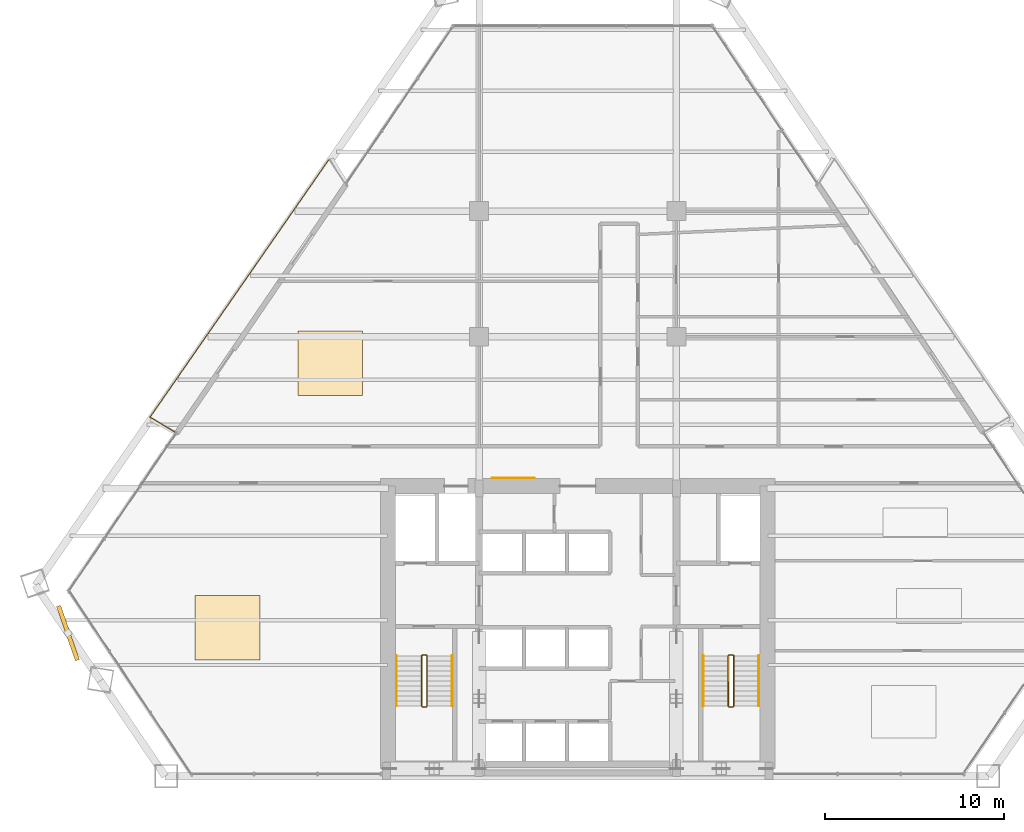
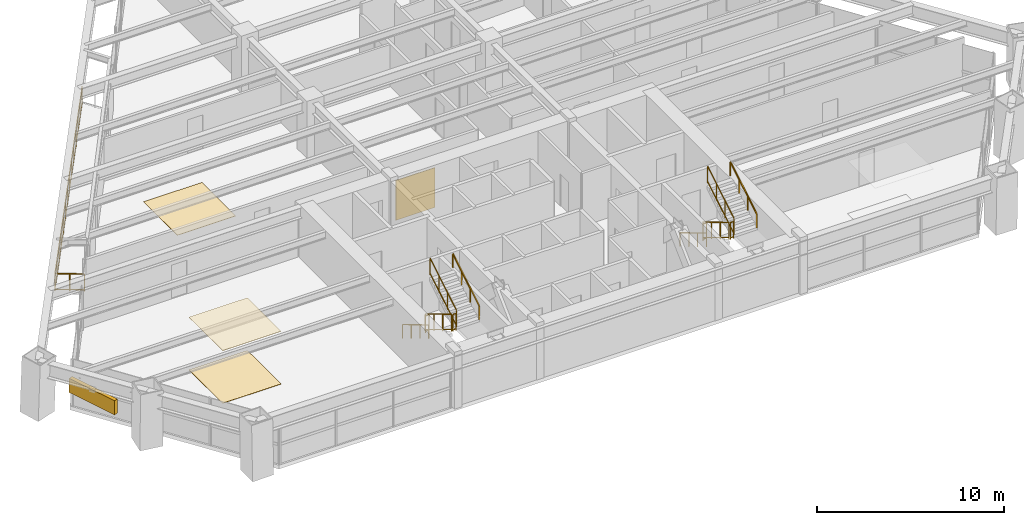
# One storey, part 13 of 14: 14 railings, 4 coverings, 1 shading device.
"""IFC4 building model written with IfcOpenShell, lengths in metres."""

from ifc_helpers import new_model, si_unit, direction, frame, origin, origin_2d, place, context, subcontext, project, spatial, rectangle, extrude, source, transform, mapped, material, layer, layer_set, type_object, type_shapes, element, save


model = new_model("IFC4")

# Units and contexts
model_context = context("Model", 3, precision=1e-05, world=origin(), true_north=direction((0.0, 1.0)))
body_context = subcontext(model_context, "Body", "Model", "MODEL_VIEW")
ifc_project = project(units=[si_unit("LENGTHUNIT", "METRE"), si_unit("AREAUNIT", "SQUARE_METRE"), si_unit("VOLUMEUNIT", "CUBIC_METRE"), si_unit("PLANEANGLEUNIT", "RADIAN"), si_unit("MASSUNIT", "GRAM", prefix="KILO")], contexts=[model_context])

# Site, building, storey
site_placement = place(None, origin())
site = spatial("IfcSite", under=ifc_project, at=site_placement, CompositionType="ELEMENT")
building_placement = place(site_placement, origin())
building = spatial("IfcBuilding", under=site, at=building_placement, Name="Varnakhor Terracotta Tower", CompositionType="ELEMENT")
storey_placement = place(building_placement, frame((0.0, 0.0, 53.39990234375)))
storey = spatial("IfcBuildingStorey", under=building, at=storey_placement, Name="L12", CompositionType="ELEMENT", Elevation=53.39990234375)

# Railings
ifc_material_1 = material(Name="Stainless Steel & Laminated Glass Guardrail", Category="steel")
railing_type_1 = type_object("IfcRailingType", Name="RLG-LOGGIA-GUARD-1150", PredefinedType="GUARDRAIL", material=ifc_material_1)
railing_1_placement = place(storey_placement, frame((-22.4755859375, 19.193115234375, 0.0)))
element("IfcRailing", 1, at=railing_1_placement, inside=storey, type_object=railing_type_1, Name="L12 W Loggia Glass Guard 1", PredefinedType="GUARDRAIL", context=body_context, shape_type="SweptSolid", body=[
    extrude(rectangle(XDim=0.048095703125, YDim=0.048095703125, at=origin_2d()), frame((0.0, 0.0, 1.1259765625), z_axis=(-0.85423110111, 0.519893475528, 0.0), x_axis=(-0.519893475528, -0.85423110111, 0.0)), (0.0, 0.0, 1.0), 1.59326171875),
    extrude(rectangle(XDim=0.048095703125, YDim=0.048095703125, at=origin_2d()), frame((0.0, 0.0, 0.10009765625), z_axis=(-0.85423110111, 0.519893475528, 0.0), x_axis=(-0.519893475528, -0.85423110111, 0.0)), (0.0, 0.0, 1.0), 1.59326171875),
    extrude(rectangle(XDim=0.0419921875, YDim=0.0419921875, at=origin_2d()), origin(), (0.0, 0.0, 1.0), 1.101806640625),
    extrude(rectangle(XDim=0.0419921875, YDim=0.0419921875, at=origin_2d()), frame((-0.6806640625, 0.4140625, 0.0)), (0.0, 0.0, 1.0), 1.101806640625),
    extrude(rectangle(XDim=0.0419921875, YDim=0.0419921875, at=origin_2d()), frame((-1.361083984375, 0.828369140625, 0.0)), (0.0, 0.0, 1.0), 1.101806640625),
])
railing_2_placement = place(storey_placement, frame((-23.836669921875, 20.021484375, 0.0)))
element("IfcRailing", 2, at=railing_2_placement, inside=storey, type_object=railing_type_1, Name="L12 W Loggia Glass Guard 2", PredefinedType="GUARDRAIL", context=body_context, shape_type="SweptSolid", body=[
    extrude(rectangle(XDim=0.048095703125, YDim=0.048095703125, at=origin_2d()), frame((0.0, 0.0, 1.1259765625), z_axis=(0.570253242053, 0.821468952504, 0.0), x_axis=(-0.821468952504, 0.570253242053, 0.0)), (0.0, 0.0, 1.0), 17.4912109375),
    extrude(rectangle(XDim=0.048095703125, YDim=0.048095703125, at=origin_2d()), frame((0.0, 0.0, 0.10009765625), z_axis=(0.570253242053, 0.821468952504, 0.0), x_axis=(-0.821468952504, 0.570253242053, 0.0)), (0.0, 0.0, 1.0), 17.4912109375),
    extrude(rectangle(XDim=0.0419921875, YDim=0.0419921875, at=origin_2d()), origin(), (0.0, 0.0, 1.0), 1.101806640625),
    extrude(rectangle(XDim=0.0419921875, YDim=0.0419921875, at=origin_2d()), frame((0.767333984375, 1.105224609375, 0.0)), (0.0, 0.0, 1.0), 1.101806640625),
    extrude(rectangle(XDim=0.0419921875, YDim=0.0419921875, at=origin_2d()), frame((1.534423828125, 2.21044921875, 0.0)), (0.0, 0.0, 1.0), 1.101806640625),
    extrude(rectangle(XDim=0.0419921875, YDim=0.0419921875, at=origin_2d()), frame((2.3017578125, 3.315673828125, 0.0)), (0.0, 0.0, 1.0), 1.101806640625),
    extrude(rectangle(XDim=0.0419921875, YDim=0.0419921875, at=origin_2d()), frame((3.069091796875, 4.421142578125, 0.0)), (0.0, 0.0, 1.0), 1.101806640625),
    extrude(rectangle(XDim=0.0419921875, YDim=0.0419921875, at=origin_2d()), frame((3.836181640625, 5.5263671875, 0.0)), (0.0, 0.0, 1.0), 1.101806640625),
    extrude(rectangle(XDim=0.0419921875, YDim=0.0419921875, at=origin_2d()), frame((4.603515625, 6.631591796875, 0.0)), (0.0, 0.0, 1.0), 1.101806640625),
    extrude(rectangle(XDim=0.0419921875, YDim=0.0419921875, at=origin_2d()), frame((5.370849609375, 7.73681640625, 0.0)), (0.0, 0.0, 1.0), 1.101806640625),
    extrude(rectangle(XDim=0.0419921875, YDim=0.0419921875, at=origin_2d()), frame((6.13818359375, 8.842041015625, 0.0)), (0.0, 0.0, 1.0), 1.101806640625),
    extrude(rectangle(XDim=0.0419921875, YDim=0.0419921875, at=origin_2d()), frame((6.9052734375, 9.947265625, 0.0)), (0.0, 0.0, 1.0), 1.101806640625),
    extrude(rectangle(XDim=0.0419921875, YDim=0.0419921875, at=origin_2d()), frame((7.672607421875, 11.052734375, 0.0)), (0.0, 0.0, 1.0), 1.101806640625),
    extrude(rectangle(XDim=0.0419921875, YDim=0.0419921875, at=origin_2d()), frame((8.43994140625, 12.157958984375, 0.0)), (0.0, 0.0, 1.0), 1.101806640625),
    extrude(rectangle(XDim=0.0419921875, YDim=0.0419921875, at=origin_2d()), frame((9.20703125, 13.26318359375, 0.0)), (0.0, 0.0, 1.0), 1.101806640625),
    extrude(rectangle(XDim=0.0419921875, YDim=0.0419921875, at=origin_2d()), frame((9.974365234375, 14.368408203125, 0.0)), (0.0, 0.0, 1.0), 1.101806640625),
])
ifc_material_2 = material(Name="Painted Steel Stairwell Guardrail", Category="steel")
railing_type_2 = type_object("IfcRailingType", Name="RLG-STAIR-GUARD-1120", PredefinedType="GUARDRAIL", material=ifc_material_2)
railing_3_placement = place(storey_placement, frame((-8.699951171875, 6.7099609375, 0.168212890625)))
element("IfcRailing", 3, at=railing_3_placement, inside=storey, type_object=railing_type_2, Name="L12 ST-1 stair guard 1", PredefinedType="GUARDRAIL", context=body_context, shape_type="SweptSolid", body=[
    extrude(rectangle(XDim=0.048095703125, YDim=0.048095703125, at=origin_2d()), frame((0.0, 0.0, 1.09619140625), z_axis=(0.0, -0.857242210791, 0.514913383045), x_axis=(1.0, 0.0, 0.0)), (0.0, 0.0, 1.0), 3.266357421875),
    extrude(rectangle(XDim=0.048095703125, YDim=0.048095703125, at=origin_2d()), frame((0.0, 0.0, 0.10009765625), z_axis=(0.0, -0.857242210791, 0.514913383045), x_axis=(1.0, 0.0, 0.0)), (0.0, 0.0, 1.0), 3.266357421875),
    extrude(rectangle(XDim=0.0419921875, YDim=0.0419921875, at=origin_2d()), origin(), (0.0, 0.0, 1.0), 1.072021484375),
    extrude(rectangle(XDim=0.0419921875, YDim=0.0419921875, at=origin_2d()), frame((0.0, -0.933349609375, 0.560546875)), (0.0, 0.0, 1.0), 1.072021484375),
    extrude(rectangle(XDim=0.0419921875, YDim=0.0419921875, at=origin_2d()), frame((0.0, -1.86669921875, 1.121337890625)), (0.0, 0.0, 1.0), 1.072021484375),
    extrude(rectangle(XDim=0.0419921875, YDim=0.0419921875, at=origin_2d()), frame((0.0, -2.800048828125, 1.681884765625)), (0.0, 0.0, 1.0), 1.072021484375),
])
railing_4_placement = place(storey_placement, frame((-8.64990234375, 3.860107421875, 1.85009765625)))
element("IfcRailing", 4, at=railing_4_placement, inside=storey, type_object=railing_type_2, Name="L12 ST-1 stair guard 2", PredefinedType="GUARDRAIL", context=body_context, shape_type="SweptSolid", body=[
    extrude(rectangle(XDim=0.048095703125, YDim=0.048095703125, at=origin_2d()), frame((0.0, 0.0, 1.09619140625), z_axis=(1.0, 0.0, 0.0), x_axis=(0.0, 1.0, 0.0)), (0.0, 0.0, 1.0), 0.199951171875),
    extrude(rectangle(XDim=0.048095703125, YDim=0.048095703125, at=origin_2d()), frame((0.0, 0.0, 0.10009765625), z_axis=(1.0, 0.0, 0.0), x_axis=(0.0, 1.0, 0.0)), (0.0, 0.0, 1.0), 0.199951171875),
    extrude(rectangle(XDim=0.0419921875, YDim=0.0419921875, at=origin_2d()), origin(), (0.0, 0.0, 1.0), 1.072021484375),
    extrude(rectangle(XDim=0.0419921875, YDim=0.0419921875, at=origin_2d()), frame((0.199951171875, 0.0, 0.0)), (0.0, 0.0, 1.0), 1.072021484375),
])
railing_5_placement = place(storey_placement, frame((-8.39990234375, 3.909912109375, 2.018310546875)))
element("IfcRailing", 5, at=railing_5_placement, inside=storey, type_object=railing_type_2, Name="L12 ST-1 stair guard 3", PredefinedType="GUARDRAIL", context=body_context, shape_type="SweptSolid", body=[
    extrude(rectangle(XDim=0.048095703125, YDim=0.048095703125, at=origin_2d()), frame((0.0, 0.0, 1.09619140625), z_axis=(0.0, 0.857242210791, 0.514913383045), x_axis=(-1.0, 0.0, 0.0)), (0.0, 0.0, 1.0), 3.266357421875),
    extrude(rectangle(XDim=0.048095703125, YDim=0.048095703125, at=origin_2d()), frame((0.0, 0.0, 0.10009765625), z_axis=(0.0, 0.857242210791, 0.514913383045), x_axis=(-1.0, 0.0, 0.0)), (0.0, 0.0, 1.0), 3.266357421875),
    extrude(rectangle(XDim=0.0419921875, YDim=0.0419921875, at=origin_2d()), origin(), (0.0, 0.0, 1.0), 1.072021484375),
    extrude(rectangle(XDim=0.0419921875, YDim=0.0419921875, at=origin_2d()), frame((0.0, 0.933349609375, 0.560546875)), (0.0, 0.0, 1.0), 1.072021484375),
    extrude(rectangle(XDim=0.0419921875, YDim=0.0419921875, at=origin_2d()), frame((0.0, 1.86669921875, 1.121337890625)), (0.0, 0.0, 1.0), 1.072021484375),
    extrude(rectangle(XDim=0.0419921875, YDim=0.0419921875, at=origin_2d()), frame((0.0, 2.800048828125, 1.681884765625)), (0.0, 0.0, 1.0), 1.072021484375),
])
railing_6_placement = place(storey_placement, frame((-8.64990234375, 6.760009765625, 0.0)))
element("IfcRailing", 6, at=railing_6_placement, inside=storey, type_object=railing_type_2, Name="L12 ST-1 stair guard 4", PredefinedType="GUARDRAIL", context=body_context, shape_type="SweptSolid", body=[
    extrude(rectangle(XDim=0.048095703125, YDim=0.048095703125, at=origin_2d()), frame((0.0, 0.0, 1.09619140625), z_axis=(1.0, 0.0, 0.0), x_axis=(0.0, 1.0, 0.0)), (0.0, 0.0, 1.0), 0.199951171875),
    extrude(rectangle(XDim=0.048095703125, YDim=0.048095703125, at=origin_2d()), frame((0.0, 0.0, 0.10009765625), z_axis=(1.0, 0.0, 0.0), x_axis=(0.0, 1.0, 0.0)), (0.0, 0.0, 1.0), 0.199951171875),
    extrude(rectangle(XDim=0.0419921875, YDim=0.0419921875, at=origin_2d()), origin(), (0.0, 0.0, 1.0), 1.072021484375),
    extrude(rectangle(XDim=0.0419921875, YDim=0.0419921875, at=origin_2d()), frame((0.199951171875, 0.0, 0.0)), (0.0, 0.0, 1.0), 1.072021484375),
])
railing_7_placement = place(storey_placement, frame((8.39990234375, 6.7099609375, 0.168212890625)))
element("IfcRailing", 7, at=railing_7_placement, inside=storey, type_object=railing_type_2, Name="L12 ST-2 stair guard 1", PredefinedType="GUARDRAIL", context=body_context, shape_type="SweptSolid", body=[
    extrude(rectangle(XDim=0.048095703125, YDim=0.048095703125, at=origin_2d()), frame((0.0, 0.0, 1.09619140625), z_axis=(0.0, -0.857242210791, 0.514913383045), x_axis=(1.0, 0.0, 0.0)), (0.0, 0.0, 1.0), 3.266357421875),
    extrude(rectangle(XDim=0.048095703125, YDim=0.048095703125, at=origin_2d()), frame((0.0, 0.0, 0.10009765625), z_axis=(0.0, -0.857242210791, 0.514913383045), x_axis=(1.0, 0.0, 0.0)), (0.0, 0.0, 1.0), 3.266357421875),
    extrude(rectangle(XDim=0.0419921875, YDim=0.0419921875, at=origin_2d()), origin(), (0.0, 0.0, 1.0), 1.072021484375),
    extrude(rectangle(XDim=0.0419921875, YDim=0.0419921875, at=origin_2d()), frame((0.0, -0.933349609375, 0.560546875)), (0.0, 0.0, 1.0), 1.072021484375),
    extrude(rectangle(XDim=0.0419921875, YDim=0.0419921875, at=origin_2d()), frame((0.0, -1.86669921875, 1.121337890625)), (0.0, 0.0, 1.0), 1.072021484375),
    extrude(rectangle(XDim=0.0419921875, YDim=0.0419921875, at=origin_2d()), frame((0.0, -2.800048828125, 1.681884765625)), (0.0, 0.0, 1.0), 1.072021484375),
])
railing_8_placement = place(storey_placement, frame((8.449951171875, 3.860107421875, 1.85009765625)))
element("IfcRailing", 8, at=railing_8_placement, inside=storey, type_object=railing_type_2, Name="L12 ST-2 stair guard 2", PredefinedType="GUARDRAIL", context=body_context, shape_type="SweptSolid", body=[
    extrude(rectangle(XDim=0.048095703125, YDim=0.048095703125, at=origin_2d()), frame((0.0, 0.0, 1.09619140625), z_axis=(1.0, 0.0, 0.0), x_axis=(0.0, 1.0, 0.0)), (0.0, 0.0, 1.0), 0.199951171875),
    extrude(rectangle(XDim=0.048095703125, YDim=0.048095703125, at=origin_2d()), frame((0.0, 0.0, 0.10009765625), z_axis=(1.0, 0.0, 0.0), x_axis=(0.0, 1.0, 0.0)), (0.0, 0.0, 1.0), 0.199951171875),
    extrude(rectangle(XDim=0.0419921875, YDim=0.0419921875, at=origin_2d()), origin(), (0.0, 0.0, 1.0), 1.072021484375),
    extrude(rectangle(XDim=0.0419921875, YDim=0.0419921875, at=origin_2d()), frame((0.199951171875, 0.0, 0.0)), (0.0, 0.0, 1.0), 1.072021484375),
])
railing_9_placement = place(storey_placement, frame((8.699951171875, 3.909912109375, 2.018310546875)))
element("IfcRailing", 9, at=railing_9_placement, inside=storey, type_object=railing_type_2, Name="L12 ST-2 stair guard 3", PredefinedType="GUARDRAIL", context=body_context, shape_type="SweptSolid", body=[
    extrude(rectangle(XDim=0.048095703125, YDim=0.048095703125, at=origin_2d()), frame((0.0, 0.0, 1.09619140625), z_axis=(0.0, 0.857242210791, 0.514913383045), x_axis=(-1.0, 0.0, 0.0)), (0.0, 0.0, 1.0), 3.266357421875),
    extrude(rectangle(XDim=0.048095703125, YDim=0.048095703125, at=origin_2d()), frame((0.0, 0.0, 0.10009765625), z_axis=(0.0, 0.857242210791, 0.514913383045), x_axis=(-1.0, 0.0, 0.0)), (0.0, 0.0, 1.0), 3.266357421875),
    extrude(rectangle(XDim=0.0419921875, YDim=0.0419921875, at=origin_2d()), origin(), (0.0, 0.0, 1.0), 1.072021484375),
    extrude(rectangle(XDim=0.0419921875, YDim=0.0419921875, at=origin_2d()), frame((0.0, 0.933349609375, 0.560546875)), (0.0, 0.0, 1.0), 1.072021484375),
    extrude(rectangle(XDim=0.0419921875, YDim=0.0419921875, at=origin_2d()), frame((0.0, 1.86669921875, 1.121337890625)), (0.0, 0.0, 1.0), 1.072021484375),
    extrude(rectangle(XDim=0.0419921875, YDim=0.0419921875, at=origin_2d()), frame((0.0, 2.800048828125, 1.681884765625)), (0.0, 0.0, 1.0), 1.072021484375),
])
railing_10_placement = place(storey_placement, frame((8.449951171875, 6.760009765625, 0.0)))
element("IfcRailing", 10, at=railing_10_placement, inside=storey, type_object=railing_type_2, Name="L12 ST-2 stair guard 4", PredefinedType="GUARDRAIL", context=body_context, shape_type="SweptSolid", body=[
    extrude(rectangle(XDim=0.048095703125, YDim=0.048095703125, at=origin_2d()), frame((0.0, 0.0, 1.09619140625), z_axis=(1.0, 0.0, 0.0), x_axis=(0.0, 1.0, 0.0)), (0.0, 0.0, 1.0), 0.199951171875),
    extrude(rectangle(XDim=0.048095703125, YDim=0.048095703125, at=origin_2d()), frame((0.0, 0.0, 0.10009765625), z_axis=(1.0, 0.0, 0.0), x_axis=(0.0, 1.0, 0.0)), (0.0, 0.0, 1.0), 0.199951171875),
    extrude(rectangle(XDim=0.0419921875, YDim=0.0419921875, at=origin_2d()), origin(), (0.0, 0.0, 1.0), 1.072021484375),
    extrude(rectangle(XDim=0.0419921875, YDim=0.0419921875, at=origin_2d()), frame((0.199951171875, 0.0, 0.0)), (0.0, 0.0, 1.0), 1.072021484375),
])
ifc_material_3 = material(Name="Brushed Stainless Steel Handrail", Category="steel")
railing_type_3 = type_object("IfcRailingType", Name="RLG-STAIR-HANDRAIL-920", PredefinedType="HANDRAIL", material=ifc_material_3)
railing_11_placement = place(storey_placement, frame((-10.10009765625, 6.7099609375, 0.168212890625)))
element("IfcRailing", 11, at=railing_11_placement, inside=storey, type_object=railing_type_3, Name="L12 ST-1 stair handrail 1", PredefinedType="HANDRAIL", context=body_context, shape_type="SweptSolid", body=[
    extrude(rectangle(XDim=0.048095703125, YDim=0.048095703125, at=origin_2d()), frame((0.0, 0.0, 0.89599609375), z_axis=(0.0, -0.857242210791, 0.514913383045), x_axis=(1.0, 0.0, 0.0)), (0.0, 0.0, 1.0), 3.266357421875),
    extrude(rectangle(XDim=0.0419921875, YDim=0.0419921875, at=origin_2d()), origin(), (0.0, 0.0, 1.0), 0.871826171875),
    extrude(rectangle(XDim=0.0419921875, YDim=0.0419921875, at=origin_2d()), frame((0.0, -0.933349609375, 0.560546875)), (0.0, 0.0, 1.0), 0.871826171875),
    extrude(rectangle(XDim=0.0419921875, YDim=0.0419921875, at=origin_2d()), frame((0.0, -1.86669921875, 1.121337890625)), (0.0, 0.0, 1.0), 0.871826171875),
    extrude(rectangle(XDim=0.0419921875, YDim=0.0419921875, at=origin_2d()), frame((0.0, -2.800048828125, 1.681884765625)), (0.0, 0.0, 1.0), 0.871826171875),
])
railing_12_placement = place(storey_placement, frame((-7.0, 3.909912109375, 2.018310546875)))
element("IfcRailing", 12, at=railing_12_placement, inside=storey, type_object=railing_type_3, Name="L12 ST-1 stair handrail 2", PredefinedType="HANDRAIL", context=body_context, shape_type="SweptSolid", body=[
    extrude(rectangle(XDim=0.048095703125, YDim=0.048095703125, at=origin_2d()), frame((0.0, 0.0, 0.89599609375), z_axis=(0.0, 0.857242210791, 0.514913383045), x_axis=(-1.0, 0.0, 0.0)), (0.0, 0.0, 1.0), 3.266357421875),
    extrude(rectangle(XDim=0.0419921875, YDim=0.0419921875, at=origin_2d()), origin(), (0.0, 0.0, 1.0), 0.871826171875),
    extrude(rectangle(XDim=0.0419921875, YDim=0.0419921875, at=origin_2d()), frame((0.0, 0.933349609375, 0.560546875)), (0.0, 0.0, 1.0), 0.871826171875),
    extrude(rectangle(XDim=0.0419921875, YDim=0.0419921875, at=origin_2d()), frame((0.0, 1.86669921875, 1.121337890625)), (0.0, 0.0, 1.0), 0.871826171875),
    extrude(rectangle(XDim=0.0419921875, YDim=0.0419921875, at=origin_2d()), frame((0.0, 2.800048828125, 1.681884765625)), (0.0, 0.0, 1.0), 0.871826171875),
])
railing_13_placement = place(storey_placement, frame((7.0, 6.7099609375, 0.168212890625)))
element("IfcRailing", 13, at=railing_13_placement, inside=storey, type_object=railing_type_3, Name="L12 ST-2 stair handrail 1", PredefinedType="HANDRAIL", context=body_context, shape_type="SweptSolid", body=[
    extrude(rectangle(XDim=0.048095703125, YDim=0.048095703125, at=origin_2d()), frame((0.0, 0.0, 0.89599609375), z_axis=(0.0, -0.857242210791, 0.514913383045), x_axis=(1.0, 0.0, 0.0)), (0.0, 0.0, 1.0), 3.266357421875),
    extrude(rectangle(XDim=0.0419921875, YDim=0.0419921875, at=origin_2d()), origin(), (0.0, 0.0, 1.0), 0.871826171875),
    extrude(rectangle(XDim=0.0419921875, YDim=0.0419921875, at=origin_2d()), frame((0.0, -0.933349609375, 0.560546875)), (0.0, 0.0, 1.0), 0.871826171875),
    extrude(rectangle(XDim=0.0419921875, YDim=0.0419921875, at=origin_2d()), frame((0.0, -1.86669921875, 1.121337890625)), (0.0, 0.0, 1.0), 0.871826171875),
    extrude(rectangle(XDim=0.0419921875, YDim=0.0419921875, at=origin_2d()), frame((0.0, -2.800048828125, 1.681884765625)), (0.0, 0.0, 1.0), 0.871826171875),
])
railing_14_placement = place(storey_placement, frame((10.10009765625, 3.909912109375, 2.018310546875)))
element("IfcRailing", 14, at=railing_14_placement, inside=storey, type_object=railing_type_3, Name="L12 ST-2 stair handrail 2", PredefinedType="HANDRAIL", context=body_context, shape_type="SweptSolid", body=[
    extrude(rectangle(XDim=0.048095703125, YDim=0.048095703125, at=origin_2d()), frame((0.0, 0.0, 0.89599609375), z_axis=(0.0, 0.857242210791, 0.514913383045), x_axis=(-1.0, 0.0, 0.0)), (0.0, 0.0, 1.0), 3.266357421875),
    extrude(rectangle(XDim=0.0419921875, YDim=0.0419921875, at=origin_2d()), origin(), (0.0, 0.0, 1.0), 0.871826171875),
    extrude(rectangle(XDim=0.0419921875, YDim=0.0419921875, at=origin_2d()), frame((0.0, 0.933349609375, 0.560546875)), (0.0, 0.0, 1.0), 0.871826171875),
    extrude(rectangle(XDim=0.0419921875, YDim=0.0419921875, at=origin_2d()), frame((0.0, 1.86669921875, 1.121337890625)), (0.0, 0.0, 1.0), 0.871826171875),
    extrude(rectangle(XDim=0.0419921875, YDim=0.0419921875, at=origin_2d()), frame((0.0, 2.800048828125, 1.681884765625)), (0.0, 0.0, 1.0), 0.871826171875),
])

# Shading device
ifc_material_4 = material(Name="Extruded Architectural Terracotta Screen", Category="masonry")
shading_device_type = type_object("IfcShadingDeviceType", Name="TERRACOTTA SOLAR SCREEN W", PredefinedType="USERDEFINED", material=ifc_material_4)
shared_shape_1 = source(origin(), body_context, "Body", "SweptSolid", [
    extrude(rectangle(XDim=3.199951171875, YDim=0.239990234375, at=origin_2d()), origin(), (0.0, 0.0, 1.0), 0.919921875),
])
type_shapes(shading_device_type, [shared_shape_1])
shading_device_placement = place(storey_placement, frame((-28.416259765625, 7.980224609375, 1.6181640625), z_axis=(0.0, 0.0, 1.0), x_axis=(0.32845455352, -0.94451977548, 0.0)))
element("IfcShadingDevice", 15, at=shading_device_placement, inside=storey, type_object=shading_device_type, Name="L12 W Terracotta Solar Screen", ObjectType="SCREEN", PredefinedType="USERDEFINED", context=body_context, shape_type="MappedRepresentation", body=[
    mapped(shared_shape_1, transform((0.0, 0.0, 0.0), scale=1.0)),
])

# Coverings
ifc_material_5 = material(Name="Extruded Architectural Terracotta Cladding", Category="masonry")
ifc_layer_1 = layer(ifc_material_5, 0.044921875, Name="Extruded Architectural Terracotta Cladding")
ifc_layer_set_1 = layer_set([ifc_layer_1], Name="Extruded Architectural Terracotta Cladding")
covering_type_1 = type_object("IfcCoveringType", Name="COV-CLAD-TERRACOTTA", PredefinedType="CLADDING", material=ifc_layer_set_1)
shared_shape_2 = source(origin(), body_context, "Body", "SweptSolid", [
    extrude(rectangle(XDim=2.39990234375, YDim=0.030029296875, at=origin_2d()), origin(), (0.0, 0.0, 1.0), 2.60009765625),
])
type_shapes(covering_type_1, [shared_shape_2])
covering_1_placement = place(storey_placement, frame((-3.60009765625, 16.612060546875, 0.0), z_axis=(0.0, 0.0, 1.0), x_axis=(1.0, 0.0, 0.0)))
element("IfcCovering", 16, at=covering_1_placement, inside=storey, type_object=covering_type_1, Name="L12 Core Lobby Limestone Cladding", PredefinedType="CLADDING", context=body_context, shape_type="MappedRepresentation", body=[
    mapped(shared_shape_2, transform((0.0, 0.0, 0.0), scale=1.0)),
])
ifc_material_6 = material(Name="Honed Riyadh Limestone Flooring", Category="masonry")
ifc_layer_2 = layer(ifc_material_6, 0.030029296875, Name="Honed Riyadh Limestone Flooring")
ifc_layer_set_2 = layer_set([ifc_layer_2], Name="Honed Riyadh Limestone Flooring")
covering_type_2 = type_object("IfcCoveringType", Name="COV-FLOOR-LIMESTONE", PredefinedType="FLOORING", material=ifc_layer_set_2)
shared_shape_3 = source(origin(), body_context, "Body", "SweptSolid", [
    extrude(rectangle(XDim=3.60009765625, YDim=3.60009765625, at=origin_2d()), origin(), (0.0, 0.0, 1.0), 0.02001953125),
])
for number, where, z_axis, x_axis, name in (
    (17, (-19.52294921875, 8.26611328125, 0.0), (0.0, 0.0, 1.0), (1.0, 0.0, 0.0), "L12 Honed Stone Flooring 2"),
    (18, (-13.802978515625, 23.010986328125, 0.0), (0.0, 0.0, 1.0), (1.0, 0.0, 0.0), "L12 Honed Stone Flooring 5"),
):
    element("IfcCovering", number, at=place(storey_placement, frame(where, z_axis=z_axis, x_axis=x_axis)), inside=storey, type_object=covering_type_2, Name=name, PredefinedType="FLOORING", context=body_context, shape_type="MappedRepresentation", body=[
        mapped(shared_shape_3, transform((0.0, 0.0, 0.0), scale=1.0)),
    ])
ifc_material_7 = material(Name="Perforated Acoustic Mineral-Fibre Ceiling", Category="gypsum")
ifc_layer_3 = layer(ifc_material_7, 0.02490234375, Name="Perforated Acoustic Mineral-Fibre Ceiling")
ifc_layer_set_3 = layer_set([ifc_layer_3], Name="Perforated Acoustic Mineral-Fibre Ceiling")
covering_type_3 = type_object("IfcCoveringType", Name="COV-CEILING-ACOUSTIC", PredefinedType="CEILING", material=ifc_layer_set_3)
shared_shape_4 = source(origin(), body_context, "Body", "SweptSolid", [
    extrude(rectangle(XDim=3.60009765625, YDim=3.60009765625, at=origin_2d()), origin(), (0.0, 0.0, 1.0), 0.02392578125),
])
covering_2_placement = place(storey_placement, frame((-19.52294921875, 8.26611328125, 3.426025390625), z_axis=(0.0, 0.0, 1.0), x_axis=(1.0, 0.0, 0.0)))
element("IfcCovering", 19, at=covering_2_placement, inside=storey, type_object=covering_type_3, Name="L12 Acoustic Ceiling Panel 2", PredefinedType="CEILING", context=body_context, shape_type="MappedRepresentation", body=[
    mapped(shared_shape_4, transform((0.0, 0.0, 0.0), scale=1.0)),
])

save(model, "model.ifc")
